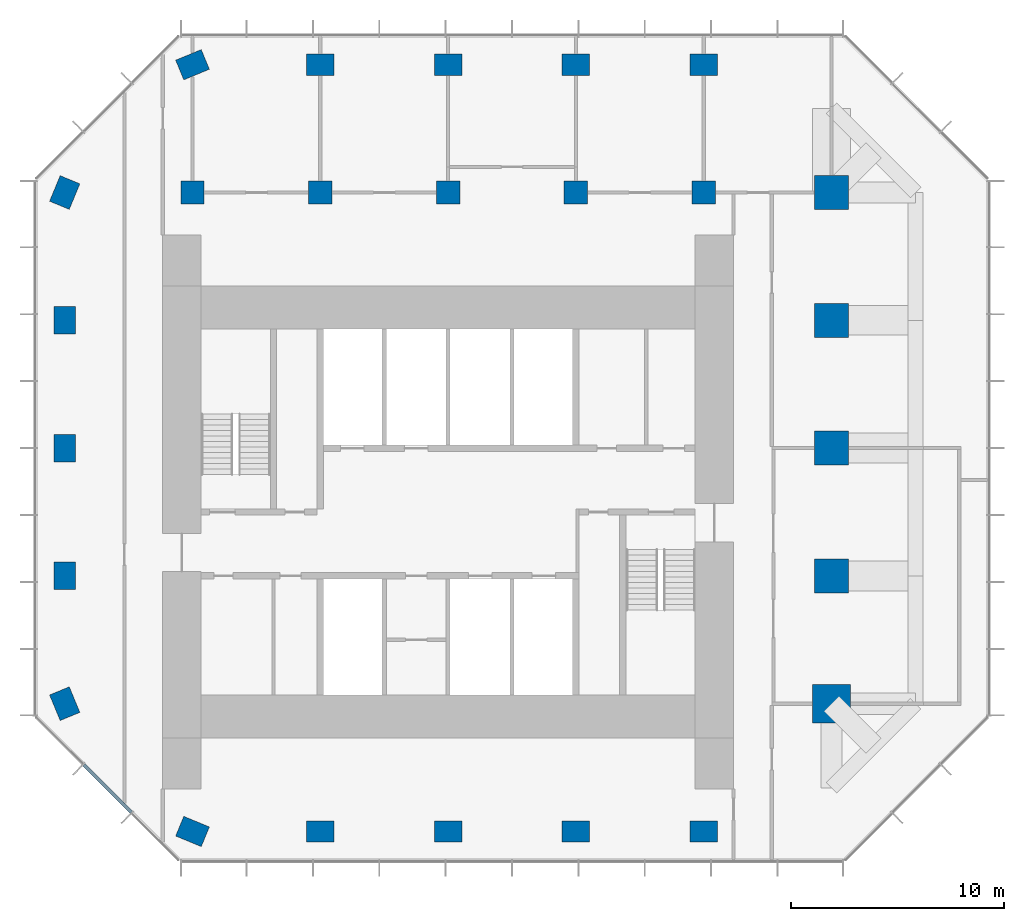
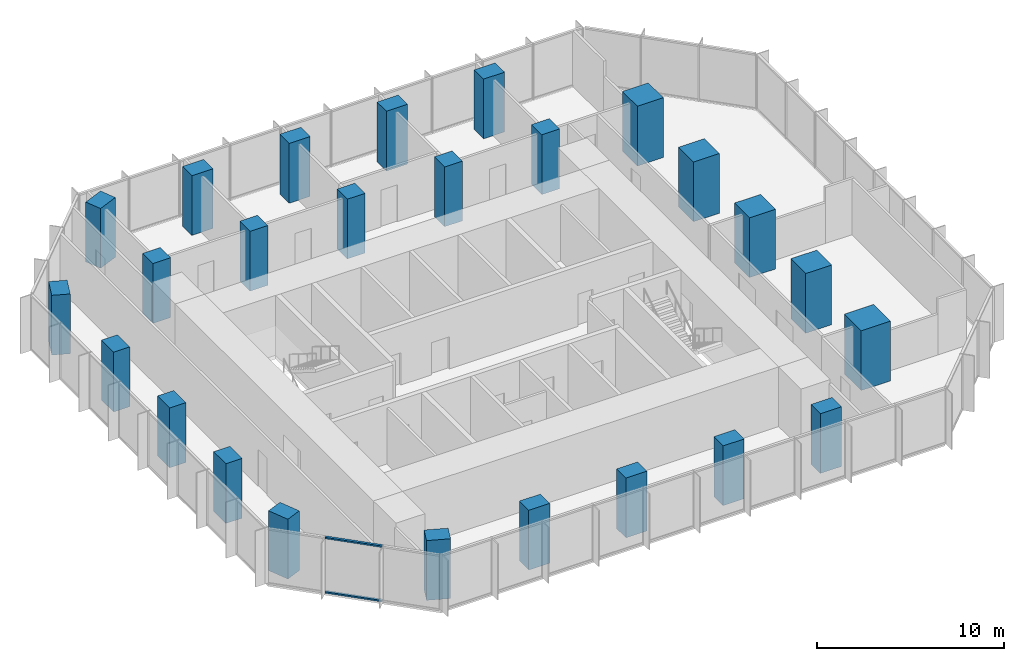
# One storey, part 1 of 10: 25 columns, 2 members, 1 element without a shape of its own.
"""IFC4 building model written with IfcOpenShell, lengths in metres."""

from ifc_helpers import new_model, si_unit, direction, frame, origin, origin_2d, place, context, subcontext, project, spatial, rectangle, extrude, material, layer, layer_set, material_profile, profile_set, type_object, element, aggregate, save


model = new_model("IFC4")

# Units and contexts
model_context = context("Model", 3, precision=1e-05, world=origin(), true_north=direction((0.0, 1.0)))
body_context = subcontext(model_context, "Body", "Model", "MODEL_VIEW")
ifc_project = project(units=[si_unit("LENGTHUNIT", "METRE"), si_unit("AREAUNIT", "SQUARE_METRE"), si_unit("VOLUMEUNIT", "CUBIC_METRE"), si_unit("PLANEANGLEUNIT", "RADIAN"), si_unit("MASSUNIT", "GRAM", prefix="KILO")], contexts=[model_context])

# Site, building, storey
site_placement = place(None, origin())
site = spatial("IfcSite", under=ifc_project, at=site_placement, CompositionType="ELEMENT")
building_placement = place(site_placement, origin())
building = spatial("IfcBuilding", under=site, at=building_placement, Name="Highveld Stack Headquarters", CompositionType="ELEMENT")
storey_placement = place(building_placement, frame((0.0, 0.0, 245.0)))
storey = spatial("IfcBuildingStorey", under=building, at=storey_placement, Name="L60", CompositionType="ELEMENT", Elevation=245.0)

# Columns
ifc_material_1 = material(Name="Concrete C60/75", Category="concrete")
ifc_material_profile_1 = material_profile(ifc_material_1, rectangle(XDim=1.10009765625, YDim=1.10009765625, at=origin_2d()), Name="RC 1100x1100")
ifc_profile_set_1 = profile_set([ifc_material_profile_1], Name="Concrete C60/75")
column_type_1 = type_object("IfcColumnType", Name="COLUMN RC 1100x1100 C60/75", PredefinedType="COLUMN", material=ifc_profile_set_1)
for number, where, z_axis, x_axis, name in (
    (1, (-6.0, 18.0, 0.0), (0.0, 0.0, 1.0), (1.0, 0.0, 0.0), "Column 5/H L60"),
    (2, (0.0, 18.0, 0.0), (0.0, 0.0, 1.0), (1.0, 0.0, 0.0), "Column 6/H L60"),
    (3, (6.0, 18.0, 0.0), (0.0, 0.0, 1.0), (1.0, 0.0, 0.0), "Column 7/H L60"),
    (4, (12.0, 18.0, 0.0), (0.0, 0.0, 1.0), (1.0, 0.0, 0.0), "Column 8/H L60"),
    (5, (18.0, 18.0, 0.0), (0.0, 0.0, 1.0), (1.0, 0.0, 0.0), "Column 9/H L60"),
):
    element("IfcColumn", number, at=place(storey_placement, frame(where, z_axis=z_axis, x_axis=x_axis)), inside=storey, type_object=column_type_1, Name=name, PredefinedType="COLUMN", context=body_context, shape_type="SweptSolid", body=[
        extrude(rectangle(XDim=1.10009765625, YDim=1.10009765625, at=origin_2d()), origin(), (0.0, 0.0, 1.0), 3.89990234375),
    ])
ifc_material_2 = material(Name="Concrete C60/75", Category="concrete")
ifc_material_profile_2 = material_profile(ifc_material_2, rectangle(XDim=1.300048828125, YDim=1.0, at=origin_2d()), Name="RC 1300x1000")
ifc_profile_set_2 = profile_set([ifc_material_profile_2], Name="Concrete C60/75")
column_type_2 = type_object("IfcColumnType", Name="COLUMN RC 1300x1000 C60/75", PredefinedType="COLUMN", material=ifc_profile_set_2)
for number, where, z_axis, x_axis, name in (
    (6, (-12.0, -6.0, 0.0), (0.0, 0.0, 1.0), (-0.382683432365, 0.923879532511, 0.0), "Column 4/D L60"),
    (7, (-12.0, 0.0, 0.0), (0.0, 0.0, 1.0), (0.0, 1.0, 0.0), "Column 4/E L60"),
    (8, (-12.0, 6.0, 0.0), (0.0, 0.0, 1.0), (0.0, 1.0, 0.0), "Column 4/F L60"),
    (9, (-12.0, 12.0, 0.0), (0.0, 0.0, 1.0), (0.0, 1.0, 0.0), "Column 4/G L60"),
    (10, (-12.0, 18.0, 0.0), (0.0, 0.0, 1.0), (0.382683432365, 0.923879532511, 0.0), "Column 4/H L60"),
    (11, (-6.0, -12.0, 0.0), (0.0, 0.0, 1.0), (-0.923879532511, 0.382683432365, 0.0), "Column 5/C L60"),
    (12, (-6.0, 24.0, 0.0), (0.0, 0.0, 1.0), (0.923879532511, 0.382683432365, 0.0), "Column 5/J L60"),
    (13, (0.0, -12.0, 0.0), (0.0, 0.0, 1.0), (1.0, 0.0, 0.0), "Column 6/C L60"),
    (14, (0.0, 24.0, 0.0), (0.0, 0.0, 1.0), (1.0, 0.0, 0.0), "Column 6/J L60"),
    (15, (6.0, -12.0, 0.0), (0.0, 0.0, 1.0), (1.0, 0.0, 0.0), "Column 7/C L60"),
    (16, (6.0, 24.0, 0.0), (0.0, 0.0, 1.0), (1.0, 0.0, 0.0), "Column 7/J L60"),
    (17, (12.0, -12.0, 0.0), (0.0, 0.0, 1.0), (1.0, 0.0, 0.0), "Column 8/C L60"),
    (18, (12.0, 24.0, 0.0), (0.0, 0.0, 1.0), (1.0, 0.0, 0.0), "Column 8/J L60"),
    (19, (18.0, -12.0, 0.0), (0.0, 0.0, 1.0), (1.0, 0.0, 0.0), "Column 9/C L60"),
    (20, (18.0, 24.0, 0.0), (0.0, 0.0, 1.0), (1.0, 0.0, 0.0), "Column 9/J L60"),
):
    element("IfcColumn", number, at=place(storey_placement, frame(where, z_axis=z_axis, x_axis=x_axis)), inside=storey, type_object=column_type_2, Name=name, PredefinedType="COLUMN", context=body_context, shape_type="SweptSolid", body=[
        extrude(rectangle(XDim=1.300048828125, YDim=1.0, at=origin_2d()), origin(), (0.0, 0.0, 1.0), 3.89990234375),
    ])
ifc_material_3 = material(Name="Concrete C60/75", Category="concrete")
ifc_material_profile_3 = material_profile(ifc_material_3, rectangle(XDim=1.60009765625, YDim=1.60009765625, at=origin_2d()), Name="RC 1600x1600")
ifc_profile_set_3 = profile_set([ifc_material_profile_3], Name="Concrete C60/75")
column_type_3 = type_object("IfcColumnType", Name="COLUMN RC 1600x1600 C60/75", PredefinedType="COLUMN", material=ifc_profile_set_3)
for number, where, z_axis, x_axis, name in (
    (21, (24.0, 0.0, 0.0), (0.0, 0.0, 1.0), (1.0, 0.0, 0.0), "Column 10/E L60"),
    (22, (24.0, 6.0, 0.0), (0.0, 0.0, 1.0), (1.0, 0.0, 0.0), "Column 10/F L60"),
    (23, (24.0, 12.0, 0.0), (0.0, 0.0, 1.0), (1.0, 0.0, 0.0), "Column 10/G L60"),
    (24, (24.0, 18.0, 0.0), (0.0, 0.0, 1.0), (1.0, 0.0, 0.0), "Column 10/H L60"),
):
    element("IfcColumn", number, at=place(storey_placement, frame(where, z_axis=z_axis, x_axis=x_axis)), inside=storey, type_object=column_type_3, Name=name, PredefinedType="COLUMN", context=body_context, shape_type="SweptSolid", body=[
        extrude(rectangle(XDim=1.60009765625, YDim=1.60009765625, at=origin_2d()), origin(), (0.0, 0.0, 1.0), 3.89990234375),
    ])
ifc_material_4 = material(Name="Concrete C60/75", Category="concrete")
ifc_material_profile_4 = material_profile(ifc_material_4, rectangle(XDim=1.800048828125, YDim=1.800048828125, at=origin_2d()), Name="RC 1800x1800")
ifc_profile_set_4 = profile_set([ifc_material_profile_4], Name="Concrete C60/75")
column_type_4 = type_object("IfcColumnType", Name="COLUMN RC 1800x1800 C60/75", PredefinedType="COLUMN", material=ifc_profile_set_4)
column_placement = place(storey_placement, frame((24.0, -6.0, 0.0), z_axis=(0.0, 0.0, 1.0), x_axis=(1.0, 0.0, 0.0)))
element("IfcColumn", 25, at=column_placement, inside=storey, type_object=column_type_4, Name="Column 10/D L60", PredefinedType="COLUMN", context=body_context, shape_type="SweptSolid", body=[
    extrude(rectangle(XDim=1.800048828125, YDim=1.800048828125, at=origin_2d()), origin(), (0.0, 0.0, 1.0), 3.89990234375),
])

# Curtain wall, members
ifc_material_5 = material(Name="Aluminium bronze anodised", Category="aluminium")
ifc_layer = layer(ifc_material_5, 0.199951171875)
ifc_layer_set = layer_set([ifc_layer], Name="Aluminium bronze anodised")
curtain_wall_type = type_object("IfcCurtainWallType", Name="CW6 SKY LOBBY UNITISED CURTAIN WALL", PredefinedType="NOTDEFINED", material=ifc_layer_set)
curtain_wall_placement = place(storey_placement, origin())
curtain_wall = element("IfcCurtainWall", 26, at=curtain_wall_placement, inside=storey, type_object=curtain_wall_type, Name="Curtain wall CW6 L60 SW", PredefinedType="NOTDEFINED")
ifc_material_6 = material(Name="Aluminium bronze anodised", Category="aluminium")
ifc_material_profile_5 = material_profile(ifc_material_6, rectangle(XDim=0.14990234375, YDim=0.10009765625, at=origin_2d()), Name="CW6 TRANSOM 150x100")
ifc_profile_set_5 = profile_set([ifc_material_profile_5], Name="Aluminium bronze anodised")
member_type = type_object("IfcMemberType", Name="CW6 STACK TRANSOM 150x100", PredefinedType="USERDEFINED", material=ifc_profile_set_5)
member_1_placement = place(storey_placement, frame((-11.103759765625, -8.876220703125, 0.050048828125), z_axis=(0.707106781187, -0.707106781187, 0.0), x_axis=(0.707106781187, 0.707106781187, 0.0)))
member_1 = element("IfcMember", 27, at=member_1_placement, type_object=member_type, Name="CW6 transom L60 2.1", ObjectType="TRANSOM", PredefinedType="USERDEFINED", context=body_context, shape_type="SweptSolid", body=[
    extrude(rectangle(XDim=0.14990234375, YDim=0.10009765625, at=origin_2d()), origin(), (0.0, 0.0, 1.0), 3.150146484375),
])
member_2_placement = place(storey_placement, frame((-11.103759765625, -8.876220703125, 3.60009765625), z_axis=(0.707106781187, -0.707106781187, 0.0), x_axis=(0.707106781187, 0.707106781187, 0.0)))
member_2 = element("IfcMember", 28, at=member_2_placement, type_object=member_type, Name="CW6 transom L60 2.2", ObjectType="TRANSOM", PredefinedType="USERDEFINED", context=body_context, shape_type="SweptSolid", body=[
    extrude(rectangle(XDim=0.14990234375, YDim=0.10009765625, at=origin_2d()), origin(), (0.0, 0.0, 1.0), 3.150146484375),
])
aggregate(curtain_wall, [member_1, member_2])

save(model, "model.ifc")
